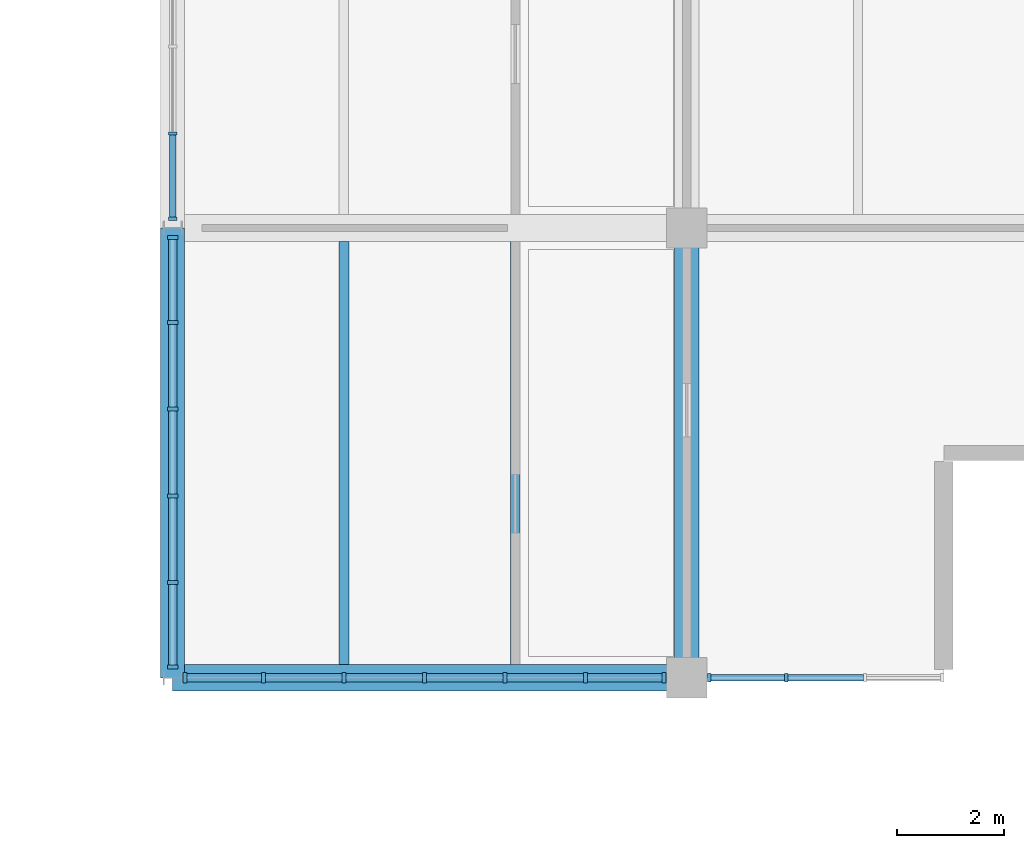
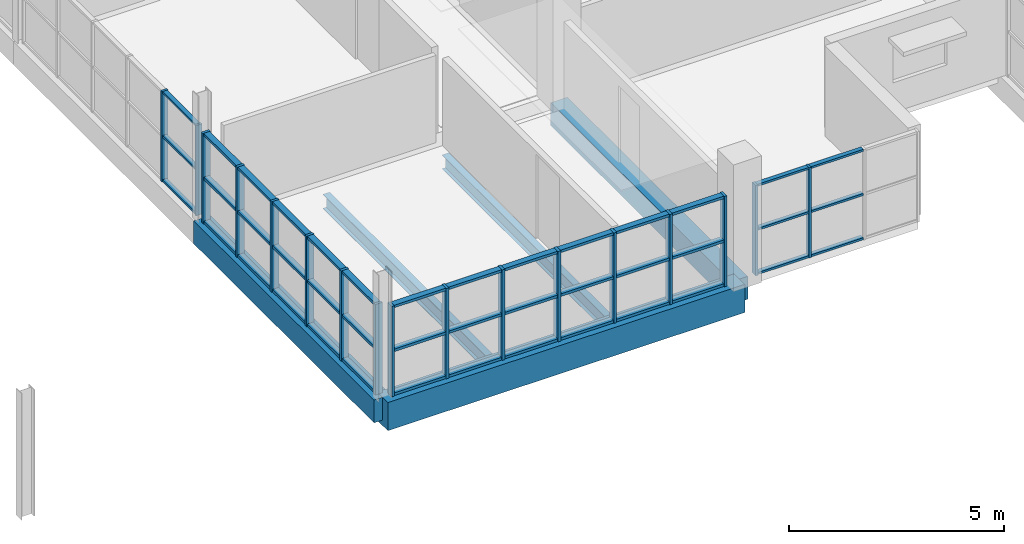
# One storey, part 29 of 147: 59 members, 5 beams, 4 elements without a shape of their own.
"""IFC4 building model written with IfcOpenShell, lengths in metres."""

from ifc_helpers import new_model, si_unit, direction, frame, origin, origin_2d, place, context, subcontext, project, spatial, rectangle, i_section, extrude, material, material_profile, profile_set, type_object, element, aggregate, save


model = new_model("IFC4")

# Units and contexts
model_context = context("Model", 3, precision=1e-05, world=origin(), true_north=direction((0.0, 1.0)))
body_context = subcontext(model_context, "Body", "Model", "MODEL_VIEW")
ifc_project = project(units=[si_unit("LENGTHUNIT", "METRE"), si_unit("AREAUNIT", "SQUARE_METRE"), si_unit("VOLUMEUNIT", "CUBIC_METRE"), si_unit("PLANEANGLEUNIT", "RADIAN"), si_unit("MASSUNIT", "GRAM", prefix="KILO")], contexts=[model_context])

# Site, building, storey
site_placement = place(None, origin())
site = spatial("IfcSite", under=ifc_project, at=site_placement, CompositionType="ELEMENT")
building_placement = place(site_placement, origin())
building = spatial("IfcBuilding", under=site, at=building_placement, Name="Oolite Switchyard Hospital", CompositionType="ELEMENT")
storey_placement = place(building_placement, frame((0.0, 0.0, 9.89990234375)))
storey = spatial("IfcBuildingStorey", under=building, at=storey_placement, Name="L02", CompositionType="ELEMENT", Elevation=9.89990234375)

# Beams
ifc_material_1 = material(Name="Concrete C40/50", Category="concrete")
ifc_material_profile_1 = material_profile(ifc_material_1, rectangle(XDim=0.449951171875, YDim=0.64990234375, at=origin_2d()), Name="RCB450X650")
ifc_profile_set_1 = profile_set([ifc_material_profile_1], Name="Concrete C40/50")
beam_type_1 = type_object("IfcBeamType", Name="BM-RC450X650", PredefinedType="BEAM", material=ifc_profile_set_1)
for number, where, z_axis, x_axis, name in (
    (1, (115.199951171875, 33.60009765625, -0.324951171875), (0.0, 1.0, 0.0), (-1.0, 0.0, 0.0), "L02 Y-Girder 1382"),
    (2, (124.800048828125, 33.60009765625, -0.324951171875), (0.0, 1.0, 0.0), (-1.0, 0.0, 0.0), "L02 Y-Girder 1391"),
):
    element("IfcBeam", number, at=place(storey_placement, frame(where, z_axis=z_axis, x_axis=x_axis)), inside=storey, type_object=beam_type_1, Name=name, PredefinedType="BEAM", context=body_context, shape_type="SweptSolid", body=[
        extrude(rectangle(XDim=0.449951171875, YDim=0.64990234375, at=origin_2d()), origin(), (0.0, 0.0, 1.0), 8.39990234375),
    ])
ifc_material_profile_2 = material_profile(ifc_material_1, rectangle(XDim=0.5, YDim=0.800048828125, at=origin_2d()), Name="RCB500X800")
ifc_profile_set_2 = profile_set([ifc_material_profile_2], Name="Concrete C40/50")
beam_type_2 = type_object("IfcBeamType", Name="BM-RC500X800", PredefinedType="BEAM", material=ifc_profile_set_2)
beam_1_placement = place(storey_placement, frame((115.199951171875, 33.60009765625, -0.39990234375), z_axis=(1.0, 0.0, 0.0), x_axis=(0.0, 1.0, 0.0)))
element("IfcBeam", 3, at=beam_1_placement, inside=storey, type_object=beam_type_2, Name="L02 X-Girder 1041", PredefinedType="BEAM", context=body_context, shape_type="SweptSolid", body=[
    extrude(rectangle(XDim=0.5, YDim=0.800048828125, at=origin_2d()), origin(), (0.0, 0.0, 1.0), 9.60009765625),
])
ifc_material_2 = material(Name="Steel ASTM A992 Grade 50", Category="steel")
ifc_material_profile_3 = material_profile(ifc_material_2, i_section(OverallWidth=0.177978515625, OverallDepth=0.403076171875, WebThickness=0.008056640625, FlangeThickness=0.010986328125, at=origin_2d()), Name="W16X36")
ifc_profile_set_3 = profile_set([ifc_material_profile_3], Name="Steel ASTM A992 Grade 50")
beam_type_3 = type_object("IfcBeamType", Name="BM-W16X36", PredefinedType="JOIST", material=ifc_profile_set_3)
beam_2_placement = place(storey_placement, frame((121.60009765625, 33.85009765625, -0.4609375), z_axis=(0.0, 1.0, 0.0), x_axis=(-1.0, 0.0, 0.0)))
element("IfcBeam", 4, at=beam_2_placement, inside=storey, type_object=beam_type_3, Name="L02 Secondary Steel Joist 1733", PredefinedType="JOIST", context=body_context, shape_type="SweptSolid", body=[
    extrude(i_section(OverallWidth=0.177978515625, OverallDepth=0.403076171875, WebThickness=0.008056640625, FlangeThickness=0.010986328125, at=origin_2d()), origin(), (0.0, 0.0, 1.0), 7.89990234375),
])
ifc_material_profile_4 = material_profile(ifc_material_2, i_section(OverallWidth=0.179931640625, OverallDepth=0.4130859375, WebThickness=0.010009765625, FlangeThickness=0.01611328125, at=origin_2d()), Name="W16X50")
ifc_profile_set_4 = profile_set([ifc_material_profile_4], Name="Steel ASTM A992 Grade 50")
beam_type_4 = type_object("IfcBeamType", Name="BM-W16X50", PredefinedType="JOIST", material=ifc_profile_set_4)
beam_3_placement = place(storey_placement, frame((118.39990234375, 33.85009765625, -0.4658203125), z_axis=(0.0, 1.0, 0.0), x_axis=(-1.0, 0.0, 0.0)))
element("IfcBeam", 5, at=beam_3_placement, inside=storey, type_object=beam_type_4, Name="L02 Secondary Steel Joist 1732", PredefinedType="JOIST", context=body_context, shape_type="SweptSolid", body=[
    extrude(i_section(OverallWidth=0.179931640625, OverallDepth=0.4130859375, WebThickness=0.010009765625, FlangeThickness=0.01611328125, at=origin_2d()), origin(), (0.0, 0.0, 1.0), 7.89990234375),
])

# Curtain wall, members
ifc_material_3 = material(Name="Thermally broken aluminum frame with laminated impact glazing", Category="aluminium")
curtain_wall_type_1 = type_object("IfcCurtainWallType", Name="CW-UNIT-84X36", PredefinedType="USERDEFINED", material=ifc_material_3)
curtain_wall_1_placement = place(storey_placement, origin())
curtain_wall_1 = element("IfcCurtainWall", 6, at=curtain_wall_1_placement, inside=storey, type_object=curtain_wall_type_1, Name="L02 Unitised Curtain Wall 226", ObjectType="UNITISED", PredefinedType="USERDEFINED")
ifc_material_4 = material(Name="Aluminium 6063-T6", Category="aluminium")
ifc_material_profile_5 = material_profile(ifc_material_4, rectangle(XDim=0.159912109375, YDim=0.06005859375, at=origin_2d()), Name="CWM60X160")
ifc_profile_set_5 = profile_set([ifc_material_profile_5], Name="Aluminium 6063-T6")
member_type_1 = type_object("IfcMemberType", Name="CW-MUL-180", PredefinedType="MULLION", material=ifc_profile_set_5)
member_1_placement = place(storey_placement, frame((126.659912109375, 33.60009765625, 0.0), z_axis=(0.0, 0.0, 1.0), x_axis=(0.0, -1.0, 0.0)))
member_1 = element("IfcMember", 7, at=member_1_placement, type_object=member_type_1, Name="CW-08 mullion 3", PredefinedType="MULLION", context=body_context, shape_type="SweptSolid", body=[
    extrude(rectangle(XDim=0.159912109375, YDim=0.06005859375, at=origin_2d()), origin(), (0.0, 0.0, 1.0), 2.570068359375),
])
member_2_placement = place(storey_placement, frame((125.219970703125, 33.60009765625, 0.0), z_axis=(0.0, 0.0, 1.0), x_axis=(0.0, -1.0, 0.0)))
member_2 = element("IfcMember", 8, at=member_2_placement, type_object=member_type_1, Name="CW-08 mullion 4", PredefinedType="MULLION", context=body_context, shape_type="SweptSolid", body=[
    extrude(rectangle(XDim=0.159912109375, YDim=0.06005859375, at=origin_2d()), origin(), (0.0, 0.0, 1.0), 2.570068359375),
])

curtain_wall_2_placement = place(storey_placement, origin())
curtain_wall_2 = element("IfcCurtainWall", 9, at=curtain_wall_2_placement, inside=storey, type_object=curtain_wall_type_1, Name="L02 Unitised Curtain Wall 292", ObjectType="UNITISED", PredefinedType="USERDEFINED")
member_3_placement = place(storey_placement, frame((115.199951171875, 42.172119140625, 0.0), z_axis=(0.0, 0.0, 1.0), x_axis=(-1.0, 0.0, 0.0)))
member_3 = element("IfcMember", 10, at=member_3_placement, type_object=member_type_1, Name="CW-08 mullion 1", PredefinedType="MULLION", context=body_context, shape_type="SweptSolid", body=[
    extrude(rectangle(XDim=0.159912109375, YDim=0.06005859375, at=origin_2d()), origin(), (0.0, 0.0, 1.0), 2.570068359375),
])
member_4_placement = place(storey_placement, frame((115.199951171875, 43.76513671875, 0.0), z_axis=(0.0, 0.0, 1.0), x_axis=(-1.0, 0.0, 0.0)))
member_4 = element("IfcMember", 11, at=member_4_placement, type_object=member_type_1, Name="CW-08 mullion 2", PredefinedType="MULLION", context=body_context, shape_type="SweptSolid", body=[
    extrude(rectangle(XDim=0.159912109375, YDim=0.06005859375, at=origin_2d()), origin(), (0.0, 0.0, 1.0), 2.570068359375),
])

curtain_wall_type_2 = type_object("IfcCurtainWallType", Name="CW-UNIT-96X36", PredefinedType="USERDEFINED", material=ifc_material_3)
curtain_wall_3_placement = place(storey_placement, origin())
curtain_wall_3 = element("IfcCurtainWall", 12, at=curtain_wall_3_placement, inside=storey, type_object=curtain_wall_type_2, Name="L02 Unitised Curtain Wall 225", ObjectType="UNITISED", PredefinedType="USERDEFINED")
ifc_material_profile_6 = material_profile(ifc_material_4, rectangle(XDim=0.199951171875, YDim=0.074951171875, at=origin_2d()), Name="CWM75X200")
ifc_profile_set_6 = profile_set([ifc_material_profile_6], Name="Aluminium 6063-T6")
member_type_2 = type_object("IfcMemberType", Name="CW-MUL-260", PredefinedType="MULLION", material=ifc_profile_set_6)
member_5_placement = place(storey_placement, frame((124.37255859375, 33.60009765625, 0.0), z_axis=(0.0, 0.0, 1.0), x_axis=(0.0, -1.0, 0.0)))
member_5 = element("IfcMember", 13, at=member_5_placement, type_object=member_type_2, Name="CW-03 mullion 1", PredefinedType="MULLION", context=body_context, shape_type="SweptSolid", body=[
    extrude(rectangle(XDim=0.199951171875, YDim=0.074951171875, at=origin_2d()), origin(), (0.0, 0.0, 1.0), 2.570068359375),
])
member_6_placement = place(storey_placement, frame((122.9072265625, 33.60009765625, 0.0), z_axis=(0.0, 0.0, 1.0), x_axis=(0.0, -1.0, 0.0)))
member_6 = element("IfcMember", 14, at=member_6_placement, type_object=member_type_2, Name="CW-03 mullion 2", PredefinedType="MULLION", context=body_context, shape_type="SweptSolid", body=[
    extrude(rectangle(XDim=0.199951171875, YDim=0.074951171875, at=origin_2d()), origin(), (0.0, 0.0, 1.0), 2.570068359375),
])
member_7_placement = place(storey_placement, frame((121.404296875, 33.60009765625, 0.0), z_axis=(0.0, 0.0, 1.0), x_axis=(0.0, -1.0, 0.0)))
member_7 = element("IfcMember", 15, at=member_7_placement, type_object=member_type_2, Name="CW-03 mullion 3", PredefinedType="MULLION", context=body_context, shape_type="SweptSolid", body=[
    extrude(rectangle(XDim=0.199951171875, YDim=0.074951171875, at=origin_2d()), origin(), (0.0, 0.0, 1.0), 2.570068359375),
])
member_8_placement = place(storey_placement, frame((119.901611328125, 33.60009765625, 0.0), z_axis=(0.0, 0.0, 1.0), x_axis=(0.0, -1.0, 0.0)))
member_8 = element("IfcMember", 16, at=member_8_placement, type_object=member_type_2, Name="CW-03 mullion 4", PredefinedType="MULLION", context=body_context, shape_type="SweptSolid", body=[
    extrude(rectangle(XDim=0.199951171875, YDim=0.074951171875, at=origin_2d()), origin(), (0.0, 0.0, 1.0), 2.570068359375),
])
member_9_placement = place(storey_placement, frame((118.398681640625, 33.60009765625, 0.0), z_axis=(0.0, 0.0, 1.0), x_axis=(0.0, -1.0, 0.0)))
member_9 = element("IfcMember", 17, at=member_9_placement, type_object=member_type_2, Name="CW-03 mullion 5", PredefinedType="MULLION", context=body_context, shape_type="SweptSolid", body=[
    extrude(rectangle(XDim=0.199951171875, YDim=0.074951171875, at=origin_2d()), origin(), (0.0, 0.0, 1.0), 2.570068359375),
])
member_10_placement = place(storey_placement, frame((116.895751953125, 33.60009765625, 0.0), z_axis=(0.0, 0.0, 1.0), x_axis=(0.0, -1.0, 0.0)))
member_10 = element("IfcMember", 18, at=member_10_placement, type_object=member_type_2, Name="CW-03 mullion 6", PredefinedType="MULLION", context=body_context, shape_type="SweptSolid", body=[
    extrude(rectangle(XDim=0.199951171875, YDim=0.074951171875, at=origin_2d()), origin(), (0.0, 0.0, 1.0), 2.570068359375),
])
member_11_placement = place(storey_placement, frame((115.430419921875, 33.60009765625, 0.0), z_axis=(0.0, 0.0, 1.0), x_axis=(0.0, -1.0, 0.0)))
member_11 = element("IfcMember", 19, at=member_11_placement, type_object=member_type_2, Name="CW-03 mullion 7", PredefinedType="MULLION", context=body_context, shape_type="SweptSolid", body=[
    extrude(rectangle(XDim=0.199951171875, YDim=0.074951171875, at=origin_2d()), origin(), (0.0, 0.0, 1.0), 2.570068359375),
])

curtain_wall_4_placement = place(storey_placement, origin())
curtain_wall_4 = element("IfcCurtainWall", 20, at=curtain_wall_4_placement, inside=storey, type_object=curtain_wall_type_1, Name="L02 Unitised Curtain Wall 291", ObjectType="UNITISED", PredefinedType="USERDEFINED")
member_12_placement = place(storey_placement, frame((115.199951171875, 33.797607421875, 0.0), z_axis=(0.0, 0.0, 1.0), x_axis=(-1.0, 0.0, 0.0)))
member_12 = element("IfcMember", 21, at=member_12_placement, type_object=member_type_2, Name="CW-08 mullion 1", PredefinedType="MULLION", context=body_context, shape_type="SweptSolid", body=[
    extrude(rectangle(XDim=0.199951171875, YDim=0.074951171875, at=origin_2d()), origin(), (0.0, 0.0, 1.0), 2.570068359375),
])
member_13_placement = place(storey_placement, frame((115.199951171875, 35.379638671875, 0.0), z_axis=(0.0, 0.0, 1.0), x_axis=(-1.0, 0.0, 0.0)))
member_13 = element("IfcMember", 22, at=member_13_placement, type_object=member_type_2, Name="CW-08 mullion 2", PredefinedType="MULLION", context=body_context, shape_type="SweptSolid", body=[
    extrude(rectangle(XDim=0.199951171875, YDim=0.074951171875, at=origin_2d()), origin(), (0.0, 0.0, 1.0), 2.570068359375),
])
member_14_placement = place(storey_placement, frame((115.199951171875, 36.999267578125, 0.0), z_axis=(0.0, 0.0, 1.0), x_axis=(-1.0, 0.0, 0.0)))
member_14 = element("IfcMember", 23, at=member_14_placement, type_object=member_type_2, Name="CW-08 mullion 3", PredefinedType="MULLION", context=body_context, shape_type="SweptSolid", body=[
    extrude(rectangle(XDim=0.199951171875, YDim=0.074951171875, at=origin_2d()), origin(), (0.0, 0.0, 1.0), 2.570068359375),
])
member_15_placement = place(storey_placement, frame((115.199951171875, 38.618896484375, 0.0), z_axis=(0.0, 0.0, 1.0), x_axis=(-1.0, 0.0, 0.0)))
member_15 = element("IfcMember", 24, at=member_15_placement, type_object=member_type_2, Name="CW-08 mullion 4", PredefinedType="MULLION", context=body_context, shape_type="SweptSolid", body=[
    extrude(rectangle(XDim=0.199951171875, YDim=0.074951171875, at=origin_2d()), origin(), (0.0, 0.0, 1.0), 2.570068359375),
])
member_16_placement = place(storey_placement, frame((115.199951171875, 40.23828125, 0.0), z_axis=(0.0, 0.0, 1.0), x_axis=(-1.0, 0.0, 0.0)))
member_16 = element("IfcMember", 25, at=member_16_placement, type_object=member_type_2, Name="CW-08 mullion 5", PredefinedType="MULLION", context=body_context, shape_type="SweptSolid", body=[
    extrude(rectangle(XDim=0.199951171875, YDim=0.074951171875, at=origin_2d()), origin(), (0.0, 0.0, 1.0), 2.570068359375),
])
member_17_placement = place(storey_placement, frame((115.199951171875, 41.820556640625, 0.0), z_axis=(0.0, 0.0, 1.0), x_axis=(-1.0, 0.0, 0.0)))
member_17 = element("IfcMember", 26, at=member_17_placement, type_object=member_type_2, Name="CW-08 mullion 6", PredefinedType="MULLION", context=body_context, shape_type="SweptSolid", body=[
    extrude(rectangle(XDim=0.199951171875, YDim=0.074951171875, at=origin_2d()), origin(), (0.0, 0.0, 1.0), 2.570068359375),
])

# Member
ifc_material_profile_7 = material_profile(ifc_material_4, rectangle(XDim=0.1201171875, YDim=0.06005859375, at=origin_2d()), Name="CWT60X120")
ifc_profile_set_7 = profile_set([ifc_material_profile_7], Name="Aluminium 6063-T6")
member_type_3 = type_object("IfcMemberType", Name="CW-TRN-150", PredefinedType="USERDEFINED", material=ifc_profile_set_7)
member_18_placement = place(storey_placement, frame((128.10009765625, 33.60009765625, 0.030029296875), z_axis=(-1.0, 0.0, 0.0), x_axis=(0.0, -1.0, 0.0)))
member_18 = element("IfcMember", 27, at=member_18_placement, type_object=member_type_3, Name="CW-08 transom 2.1", ObjectType="TRANSOM", PredefinedType="USERDEFINED", context=body_context, shape_type="SweptSolid", body=[
    extrude(rectangle(XDim=0.1201171875, YDim=0.06005859375, at=origin_2d()), origin(), (0.0, 0.0, 1.0), 1.41015625),
])

member_19_placement = place(storey_placement, frame((128.10009765625, 33.60009765625, 1.28515625), z_axis=(-1.0, 0.0, 0.0), x_axis=(0.0, -1.0, 0.0)))
member_19 = element("IfcMember", 28, at=member_19_placement, type_object=member_type_3, Name="CW-08 transom 2.2", ObjectType="TRANSOM", PredefinedType="USERDEFINED", context=body_context, shape_type="SweptSolid", body=[
    extrude(rectangle(XDim=0.1201171875, YDim=0.06005859375, at=origin_2d()), origin(), (0.0, 0.0, 1.0), 1.41015625),
])

member_20_placement = place(storey_placement, frame((128.10009765625, 33.60009765625, 2.5400390625), z_axis=(-1.0, 0.0, 0.0), x_axis=(0.0, -1.0, 0.0)))
member_20 = element("IfcMember", 29, at=member_20_placement, type_object=member_type_3, Name="CW-08 transom 2.3", ObjectType="TRANSOM", PredefinedType="USERDEFINED", context=body_context, shape_type="SweptSolid", body=[
    extrude(rectangle(XDim=0.1201171875, YDim=0.06005859375, at=origin_2d()), origin(), (0.0, 0.0, 1.0), 1.41015625),
])

member_21_placement = place(storey_placement, frame((126.6298828125, 33.60009765625, 0.030029296875), z_axis=(-1.0, 0.0, 0.0), x_axis=(0.0, -1.0, 0.0)))
member_21 = element("IfcMember", 30, at=member_21_placement, type_object=member_type_3, Name="CW-08 transom 3.1", ObjectType="TRANSOM", PredefinedType="USERDEFINED", context=body_context, shape_type="SweptSolid", body=[
    extrude(rectangle(XDim=0.1201171875, YDim=0.06005859375, at=origin_2d()), origin(), (0.0, 0.0, 1.0), 1.3798828125),
])

member_22_placement = place(storey_placement, frame((126.6298828125, 33.60009765625, 1.28515625), z_axis=(-1.0, 0.0, 0.0), x_axis=(0.0, -1.0, 0.0)))
member_22 = element("IfcMember", 31, at=member_22_placement, type_object=member_type_3, Name="CW-08 transom 3.2", ObjectType="TRANSOM", PredefinedType="USERDEFINED", context=body_context, shape_type="SweptSolid", body=[
    extrude(rectangle(XDim=0.1201171875, YDim=0.06005859375, at=origin_2d()), origin(), (0.0, 0.0, 1.0), 1.3798828125),
])

member_23_placement = place(storey_placement, frame((126.6298828125, 33.60009765625, 2.5400390625), z_axis=(-1.0, 0.0, 0.0), x_axis=(0.0, -1.0, 0.0)))
member_23 = element("IfcMember", 32, at=member_23_placement, type_object=member_type_3, Name="CW-08 transom 3.3", ObjectType="TRANSOM", PredefinedType="USERDEFINED", context=body_context, shape_type="SweptSolid", body=[
    extrude(rectangle(XDim=0.1201171875, YDim=0.06005859375, at=origin_2d()), origin(), (0.0, 0.0, 1.0), 1.3798828125),
])

aggregate(curtain_wall_1, [member_1, member_2, member_18, member_19, member_20, member_21, member_22, member_23])

member_24_placement = place(storey_placement, frame((115.199951171875, 42.201904296875, 0.030029296875), z_axis=(0.0, 1.0, 0.0), x_axis=(-1.0, 0.0, 0.0)))
member_24 = element("IfcMember", 33, at=member_24_placement, type_object=member_type_3, Name="CW-08 transom 1.1", ObjectType="TRANSOM", PredefinedType="USERDEFINED", context=body_context, shape_type="SweptSolid", body=[
    extrude(rectangle(XDim=0.1201171875, YDim=0.06005859375, at=origin_2d()), origin(), (0.0, 0.0, 1.0), 1.533203125),
])

member_25_placement = place(storey_placement, frame((115.199951171875, 42.201904296875, 1.28515625), z_axis=(0.0, 1.0, 0.0), x_axis=(-1.0, 0.0, 0.0)))
member_25 = element("IfcMember", 34, at=member_25_placement, type_object=member_type_3, Name="CW-08 transom 1.2", ObjectType="TRANSOM", PredefinedType="USERDEFINED", context=body_context, shape_type="SweptSolid", body=[
    extrude(rectangle(XDim=0.1201171875, YDim=0.06005859375, at=origin_2d()), origin(), (0.0, 0.0, 1.0), 1.533203125),
])

member_26_placement = place(storey_placement, frame((115.199951171875, 42.201904296875, 2.5400390625), z_axis=(0.0, 1.0, 0.0), x_axis=(-1.0, 0.0, 0.0)))
member_26 = element("IfcMember", 35, at=member_26_placement, type_object=member_type_3, Name="CW-08 transom 1.3", ObjectType="TRANSOM", PredefinedType="USERDEFINED", context=body_context, shape_type="SweptSolid", body=[
    extrude(rectangle(XDim=0.1201171875, YDim=0.06005859375, at=origin_2d()), origin(), (0.0, 0.0, 1.0), 1.533203125),
])

aggregate(curtain_wall_2, [member_3, member_4, member_24, member_25, member_26])

ifc_material_profile_8 = material_profile(ifc_material_4, rectangle(XDim=0.159912109375, YDim=0.074951171875, at=origin_2d()), Name="CWT75X160")
ifc_profile_set_8 = profile_set([ifc_material_profile_8], Name="Aluminium 6063-T6")
member_type_4 = type_object("IfcMemberType", Name="CW-TRN-180", PredefinedType="USERDEFINED", material=ifc_profile_set_8)
member_27_placement = place(storey_placement, frame((124.3349609375, 33.60009765625, 0.03759765625), z_axis=(-1.0, 0.0, 0.0), x_axis=(0.0, -1.0, 0.0)))
member_27 = element("IfcMember", 36, at=member_27_placement, type_object=member_type_4, Name="CW-03 transom 1.1", ObjectType="TRANSOM", PredefinedType="USERDEFINED", context=body_context, shape_type="SweptSolid", body=[
    extrude(rectangle(XDim=0.159912109375, YDim=0.074951171875, at=origin_2d()), origin(), (0.0, 0.0, 1.0), 1.390380859375),
])

member_28_placement = place(storey_placement, frame((124.3349609375, 33.60009765625, 1.28515625), z_axis=(-1.0, 0.0, 0.0), x_axis=(0.0, -1.0, 0.0)))
member_28 = element("IfcMember", 37, at=member_28_placement, type_object=member_type_4, Name="CW-03 transom 1.2", ObjectType="TRANSOM", PredefinedType="USERDEFINED", context=body_context, shape_type="SweptSolid", body=[
    extrude(rectangle(XDim=0.159912109375, YDim=0.074951171875, at=origin_2d()), origin(), (0.0, 0.0, 1.0), 1.390380859375),
])

member_29_placement = place(storey_placement, frame((124.3349609375, 33.60009765625, 2.53271484375), z_axis=(-1.0, 0.0, 0.0), x_axis=(0.0, -1.0, 0.0)))
member_29 = element("IfcMember", 38, at=member_29_placement, type_object=member_type_4, Name="CW-03 transom 1.3", ObjectType="TRANSOM", PredefinedType="USERDEFINED", context=body_context, shape_type="SweptSolid", body=[
    extrude(rectangle(XDim=0.159912109375, YDim=0.074951171875, at=origin_2d()), origin(), (0.0, 0.0, 1.0), 1.390380859375),
])

member_30_placement = place(storey_placement, frame((122.86962890625, 33.60009765625, 0.03759765625), z_axis=(-1.0, 0.0, 0.0), x_axis=(0.0, -1.0, 0.0)))
member_30 = element("IfcMember", 39, at=member_30_placement, type_object=member_type_4, Name="CW-03 transom 2.1", ObjectType="TRANSOM", PredefinedType="USERDEFINED", context=body_context, shape_type="SweptSolid", body=[
    extrude(rectangle(XDim=0.159912109375, YDim=0.074951171875, at=origin_2d()), origin(), (0.0, 0.0, 1.0), 1.427734375),
])

member_31_placement = place(storey_placement, frame((122.86962890625, 33.60009765625, 1.28515625), z_axis=(-1.0, 0.0, 0.0), x_axis=(0.0, -1.0, 0.0)))
member_31 = element("IfcMember", 40, at=member_31_placement, type_object=member_type_4, Name="CW-03 transom 2.2", ObjectType="TRANSOM", PredefinedType="USERDEFINED", context=body_context, shape_type="SweptSolid", body=[
    extrude(rectangle(XDim=0.159912109375, YDim=0.074951171875, at=origin_2d()), origin(), (0.0, 0.0, 1.0), 1.427734375),
])

member_32_placement = place(storey_placement, frame((122.86962890625, 33.60009765625, 2.53271484375), z_axis=(-1.0, 0.0, 0.0), x_axis=(0.0, -1.0, 0.0)))
member_32 = element("IfcMember", 41, at=member_32_placement, type_object=member_type_4, Name="CW-03 transom 2.3", ObjectType="TRANSOM", PredefinedType="USERDEFINED", context=body_context, shape_type="SweptSolid", body=[
    extrude(rectangle(XDim=0.159912109375, YDim=0.074951171875, at=origin_2d()), origin(), (0.0, 0.0, 1.0), 1.427734375),
])

member_33_placement = place(storey_placement, frame((121.366943359375, 33.60009765625, 0.03759765625), z_axis=(-1.0, 0.0, 0.0), x_axis=(0.0, -1.0, 0.0)))
member_33 = element("IfcMember", 42, at=member_33_placement, type_object=member_type_4, Name="CW-03 transom 3.1", ObjectType="TRANSOM", PredefinedType="USERDEFINED", context=body_context, shape_type="SweptSolid", body=[
    extrude(rectangle(XDim=0.159912109375, YDim=0.074951171875, at=origin_2d()), origin(), (0.0, 0.0, 1.0), 1.427978515625),
])

member_34_placement = place(storey_placement, frame((121.366943359375, 33.60009765625, 1.28515625), z_axis=(-1.0, 0.0, 0.0), x_axis=(0.0, -1.0, 0.0)))
member_34 = element("IfcMember", 43, at=member_34_placement, type_object=member_type_4, Name="CW-03 transom 3.2", ObjectType="TRANSOM", PredefinedType="USERDEFINED", context=body_context, shape_type="SweptSolid", body=[
    extrude(rectangle(XDim=0.159912109375, YDim=0.074951171875, at=origin_2d()), origin(), (0.0, 0.0, 1.0), 1.427978515625),
])

member_35_placement = place(storey_placement, frame((121.366943359375, 33.60009765625, 2.53271484375), z_axis=(-1.0, 0.0, 0.0), x_axis=(0.0, -1.0, 0.0)))
member_35 = element("IfcMember", 44, at=member_35_placement, type_object=member_type_4, Name="CW-03 transom 3.3", ObjectType="TRANSOM", PredefinedType="USERDEFINED", context=body_context, shape_type="SweptSolid", body=[
    extrude(rectangle(XDim=0.159912109375, YDim=0.074951171875, at=origin_2d()), origin(), (0.0, 0.0, 1.0), 1.427978515625),
])

member_36_placement = place(storey_placement, frame((119.864013671875, 33.60009765625, 0.03759765625), z_axis=(-1.0, 0.0, 0.0), x_axis=(0.0, -1.0, 0.0)))
member_36 = element("IfcMember", 45, at=member_36_placement, type_object=member_type_4, Name="CW-03 transom 4.1", ObjectType="TRANSOM", PredefinedType="USERDEFINED", context=body_context, shape_type="SweptSolid", body=[
    extrude(rectangle(XDim=0.159912109375, YDim=0.074951171875, at=origin_2d()), origin(), (0.0, 0.0, 1.0), 1.427734375),
])

member_37_placement = place(storey_placement, frame((119.864013671875, 33.60009765625, 1.28515625), z_axis=(-1.0, 0.0, 0.0), x_axis=(0.0, -1.0, 0.0)))
member_37 = element("IfcMember", 46, at=member_37_placement, type_object=member_type_4, Name="CW-03 transom 4.2", ObjectType="TRANSOM", PredefinedType="USERDEFINED", context=body_context, shape_type="SweptSolid", body=[
    extrude(rectangle(XDim=0.159912109375, YDim=0.074951171875, at=origin_2d()), origin(), (0.0, 0.0, 1.0), 1.427734375),
])

member_38_placement = place(storey_placement, frame((119.864013671875, 33.60009765625, 2.53271484375), z_axis=(-1.0, 0.0, 0.0), x_axis=(0.0, -1.0, 0.0)))
member_38 = element("IfcMember", 47, at=member_38_placement, type_object=member_type_4, Name="CW-03 transom 4.3", ObjectType="TRANSOM", PredefinedType="USERDEFINED", context=body_context, shape_type="SweptSolid", body=[
    extrude(rectangle(XDim=0.159912109375, YDim=0.074951171875, at=origin_2d()), origin(), (0.0, 0.0, 1.0), 1.427734375),
])

member_39_placement = place(storey_placement, frame((118.361083984375, 33.60009765625, 0.03759765625), z_axis=(-1.0, 0.0, 0.0), x_axis=(0.0, -1.0, 0.0)))
member_39 = element("IfcMember", 48, at=member_39_placement, type_object=member_type_4, Name="CW-03 transom 5.1", ObjectType="TRANSOM", PredefinedType="USERDEFINED", context=body_context, shape_type="SweptSolid", body=[
    extrude(rectangle(XDim=0.159912109375, YDim=0.074951171875, at=origin_2d()), origin(), (0.0, 0.0, 1.0), 1.427734375),
])

member_40_placement = place(storey_placement, frame((118.361083984375, 33.60009765625, 1.28515625), z_axis=(-1.0, 0.0, 0.0), x_axis=(0.0, -1.0, 0.0)))
member_40 = element("IfcMember", 49, at=member_40_placement, type_object=member_type_4, Name="CW-03 transom 5.2", ObjectType="TRANSOM", PredefinedType="USERDEFINED", context=body_context, shape_type="SweptSolid", body=[
    extrude(rectangle(XDim=0.159912109375, YDim=0.074951171875, at=origin_2d()), origin(), (0.0, 0.0, 1.0), 1.427734375),
])

member_41_placement = place(storey_placement, frame((118.361083984375, 33.60009765625, 2.53271484375), z_axis=(-1.0, 0.0, 0.0), x_axis=(0.0, -1.0, 0.0)))
member_41 = element("IfcMember", 50, at=member_41_placement, type_object=member_type_4, Name="CW-03 transom 5.3", ObjectType="TRANSOM", PredefinedType="USERDEFINED", context=body_context, shape_type="SweptSolid", body=[
    extrude(rectangle(XDim=0.159912109375, YDim=0.074951171875, at=origin_2d()), origin(), (0.0, 0.0, 1.0), 1.427734375),
])

member_42_placement = place(storey_placement, frame((116.8583984375, 33.60009765625, 0.03759765625), z_axis=(-1.0, 0.0, 0.0), x_axis=(0.0, -1.0, 0.0)))
member_42 = element("IfcMember", 51, at=member_42_placement, type_object=member_type_4, Name="CW-03 transom 6.1", ObjectType="TRANSOM", PredefinedType="USERDEFINED", context=body_context, shape_type="SweptSolid", body=[
    extrude(rectangle(XDim=0.159912109375, YDim=0.074951171875, at=origin_2d()), origin(), (0.0, 0.0, 1.0), 1.390380859375),
])

member_43_placement = place(storey_placement, frame((116.8583984375, 33.60009765625, 1.28515625), z_axis=(-1.0, 0.0, 0.0), x_axis=(0.0, -1.0, 0.0)))
member_43 = element("IfcMember", 52, at=member_43_placement, type_object=member_type_4, Name="CW-03 transom 6.2", ObjectType="TRANSOM", PredefinedType="USERDEFINED", context=body_context, shape_type="SweptSolid", body=[
    extrude(rectangle(XDim=0.159912109375, YDim=0.074951171875, at=origin_2d()), origin(), (0.0, 0.0, 1.0), 1.390380859375),
])

member_44_placement = place(storey_placement, frame((116.8583984375, 33.60009765625, 2.53271484375), z_axis=(-1.0, 0.0, 0.0), x_axis=(0.0, -1.0, 0.0)))
member_44 = element("IfcMember", 53, at=member_44_placement, type_object=member_type_4, Name="CW-03 transom 6.3", ObjectType="TRANSOM", PredefinedType="USERDEFINED", context=body_context, shape_type="SweptSolid", body=[
    extrude(rectangle(XDim=0.159912109375, YDim=0.074951171875, at=origin_2d()), origin(), (0.0, 0.0, 1.0), 1.390380859375),
])

aggregate(curtain_wall_3, [member_5, member_6, member_7, member_8, member_9, member_10, member_11, member_27, member_28, member_29, member_30, member_31, member_32, member_33, member_34, member_35, member_36, member_37, member_38, member_39, member_40, member_41, member_42, member_43, member_44])

member_45_placement = place(storey_placement, frame((115.199951171875, 33.8349609375, 0.03759765625), z_axis=(0.0, 1.0, 0.0), x_axis=(-1.0, 0.0, 0.0)))
member_45 = element("IfcMember", 54, at=member_45_placement, type_object=member_type_4, Name="CW-08 transom 1.1", ObjectType="TRANSOM", PredefinedType="USERDEFINED", context=body_context, shape_type="SweptSolid", body=[
    extrude(rectangle(XDim=0.159912109375, YDim=0.074951171875, at=origin_2d()), origin(), (0.0, 0.0, 1.0), 1.507080078125),
])

member_46_placement = place(storey_placement, frame((115.199951171875, 33.8349609375, 1.28515625), z_axis=(0.0, 1.0, 0.0), x_axis=(-1.0, 0.0, 0.0)))
member_46 = element("IfcMember", 55, at=member_46_placement, type_object=member_type_4, Name="CW-08 transom 1.2", ObjectType="TRANSOM", PredefinedType="USERDEFINED", context=body_context, shape_type="SweptSolid", body=[
    extrude(rectangle(XDim=0.159912109375, YDim=0.074951171875, at=origin_2d()), origin(), (0.0, 0.0, 1.0), 1.507080078125),
])

member_47_placement = place(storey_placement, frame((115.199951171875, 33.8349609375, 2.53271484375), z_axis=(0.0, 1.0, 0.0), x_axis=(-1.0, 0.0, 0.0)))
member_47 = element("IfcMember", 56, at=member_47_placement, type_object=member_type_4, Name="CW-08 transom 1.3", ObjectType="TRANSOM", PredefinedType="USERDEFINED", context=body_context, shape_type="SweptSolid", body=[
    extrude(rectangle(XDim=0.159912109375, YDim=0.074951171875, at=origin_2d()), origin(), (0.0, 0.0, 1.0), 1.507080078125),
])

member_48_placement = place(storey_placement, frame((115.199951171875, 35.4169921875, 0.03759765625), z_axis=(0.0, 1.0, 0.0), x_axis=(-1.0, 0.0, 0.0)))
member_48 = element("IfcMember", 57, at=member_48_placement, type_object=member_type_4, Name="CW-08 transom 2.1", ObjectType="TRANSOM", PredefinedType="USERDEFINED", context=body_context, shape_type="SweptSolid", body=[
    extrude(rectangle(XDim=0.159912109375, YDim=0.074951171875, at=origin_2d()), origin(), (0.0, 0.0, 1.0), 1.544677734375),
])

member_49_placement = place(storey_placement, frame((115.199951171875, 35.4169921875, 1.28515625), z_axis=(0.0, 1.0, 0.0), x_axis=(-1.0, 0.0, 0.0)))
member_49 = element("IfcMember", 58, at=member_49_placement, type_object=member_type_4, Name="CW-08 transom 2.2", ObjectType="TRANSOM", PredefinedType="USERDEFINED", context=body_context, shape_type="SweptSolid", body=[
    extrude(rectangle(XDim=0.159912109375, YDim=0.074951171875, at=origin_2d()), origin(), (0.0, 0.0, 1.0), 1.544677734375),
])

member_50_placement = place(storey_placement, frame((115.199951171875, 35.4169921875, 2.53271484375), z_axis=(0.0, 1.0, 0.0), x_axis=(-1.0, 0.0, 0.0)))
member_50 = element("IfcMember", 59, at=member_50_placement, type_object=member_type_4, Name="CW-08 transom 2.3", ObjectType="TRANSOM", PredefinedType="USERDEFINED", context=body_context, shape_type="SweptSolid", body=[
    extrude(rectangle(XDim=0.159912109375, YDim=0.074951171875, at=origin_2d()), origin(), (0.0, 0.0, 1.0), 1.544677734375),
])

member_51_placement = place(storey_placement, frame((115.199951171875, 37.03662109375, 0.03759765625), z_axis=(0.0, 1.0, 0.0), x_axis=(-1.0, 0.0, 0.0)))
member_51 = element("IfcMember", 60, at=member_51_placement, type_object=member_type_4, Name="CW-08 transom 3.1", ObjectType="TRANSOM", PredefinedType="USERDEFINED", context=body_context, shape_type="SweptSolid", body=[
    extrude(rectangle(XDim=0.159912109375, YDim=0.074951171875, at=origin_2d()), origin(), (0.0, 0.0, 1.0), 1.544677734375),
])

member_52_placement = place(storey_placement, frame((115.199951171875, 37.03662109375, 1.28515625), z_axis=(0.0, 1.0, 0.0), x_axis=(-1.0, 0.0, 0.0)))
member_52 = element("IfcMember", 61, at=member_52_placement, type_object=member_type_4, Name="CW-08 transom 3.2", ObjectType="TRANSOM", PredefinedType="USERDEFINED", context=body_context, shape_type="SweptSolid", body=[
    extrude(rectangle(XDim=0.159912109375, YDim=0.074951171875, at=origin_2d()), origin(), (0.0, 0.0, 1.0), 1.544677734375),
])

member_53_placement = place(storey_placement, frame((115.199951171875, 37.03662109375, 2.53271484375), z_axis=(0.0, 1.0, 0.0), x_axis=(-1.0, 0.0, 0.0)))
member_53 = element("IfcMember", 62, at=member_53_placement, type_object=member_type_4, Name="CW-08 transom 3.3", ObjectType="TRANSOM", PredefinedType="USERDEFINED", context=body_context, shape_type="SweptSolid", body=[
    extrude(rectangle(XDim=0.159912109375, YDim=0.074951171875, at=origin_2d()), origin(), (0.0, 0.0, 1.0), 1.544677734375),
])

member_54_placement = place(storey_placement, frame((115.199951171875, 38.65625, 0.03759765625), z_axis=(0.0, 1.0, 0.0), x_axis=(-1.0, 0.0, 0.0)))
member_54 = element("IfcMember", 63, at=member_54_placement, type_object=member_type_4, Name="CW-08 transom 4.1", ObjectType="TRANSOM", PredefinedType="USERDEFINED", context=body_context, shape_type="SweptSolid", body=[
    extrude(rectangle(XDim=0.159912109375, YDim=0.074951171875, at=origin_2d()), origin(), (0.0, 0.0, 1.0), 1.544677734375),
])

member_55_placement = place(storey_placement, frame((115.199951171875, 38.65625, 1.28515625), z_axis=(0.0, 1.0, 0.0), x_axis=(-1.0, 0.0, 0.0)))
member_55 = element("IfcMember", 64, at=member_55_placement, type_object=member_type_4, Name="CW-08 transom 4.2", ObjectType="TRANSOM", PredefinedType="USERDEFINED", context=body_context, shape_type="SweptSolid", body=[
    extrude(rectangle(XDim=0.159912109375, YDim=0.074951171875, at=origin_2d()), origin(), (0.0, 0.0, 1.0), 1.544677734375),
])

member_56_placement = place(storey_placement, frame((115.199951171875, 38.65625, 2.53271484375), z_axis=(0.0, 1.0, 0.0), x_axis=(-1.0, 0.0, 0.0)))
member_56 = element("IfcMember", 65, at=member_56_placement, type_object=member_type_4, Name="CW-08 transom 4.3", ObjectType="TRANSOM", PredefinedType="USERDEFINED", context=body_context, shape_type="SweptSolid", body=[
    extrude(rectangle(XDim=0.159912109375, YDim=0.074951171875, at=origin_2d()), origin(), (0.0, 0.0, 1.0), 1.544677734375),
])

member_57_placement = place(storey_placement, frame((115.199951171875, 40.27587890625, 0.03759765625), z_axis=(0.0, 1.0, 0.0), x_axis=(-1.0, 0.0, 0.0)))
member_57 = element("IfcMember", 66, at=member_57_placement, type_object=member_type_4, Name="CW-08 transom 5.1", ObjectType="TRANSOM", PredefinedType="USERDEFINED", context=body_context, shape_type="SweptSolid", body=[
    extrude(rectangle(XDim=0.159912109375, YDim=0.074951171875, at=origin_2d()), origin(), (0.0, 0.0, 1.0), 1.507080078125),
])

member_58_placement = place(storey_placement, frame((115.199951171875, 40.27587890625, 1.28515625), z_axis=(0.0, 1.0, 0.0), x_axis=(-1.0, 0.0, 0.0)))
member_58 = element("IfcMember", 67, at=member_58_placement, type_object=member_type_4, Name="CW-08 transom 5.2", ObjectType="TRANSOM", PredefinedType="USERDEFINED", context=body_context, shape_type="SweptSolid", body=[
    extrude(rectangle(XDim=0.159912109375, YDim=0.074951171875, at=origin_2d()), origin(), (0.0, 0.0, 1.0), 1.507080078125),
])

member_59_placement = place(storey_placement, frame((115.199951171875, 40.27587890625, 2.53271484375), z_axis=(0.0, 1.0, 0.0), x_axis=(-1.0, 0.0, 0.0)))
member_59 = element("IfcMember", 68, at=member_59_placement, type_object=member_type_4, Name="CW-08 transom 5.3", ObjectType="TRANSOM", PredefinedType="USERDEFINED", context=body_context, shape_type="SweptSolid", body=[
    extrude(rectangle(XDim=0.159912109375, YDim=0.074951171875, at=origin_2d()), origin(), (0.0, 0.0, 1.0), 1.507080078125),
])

aggregate(curtain_wall_4, [member_12, member_13, member_14, member_15, member_16, member_17, member_45, member_46, member_47, member_48, member_49, member_50, member_51, member_52, member_53, member_54, member_55, member_56, member_57, member_58, member_59])

save(model, "model.ifc")
